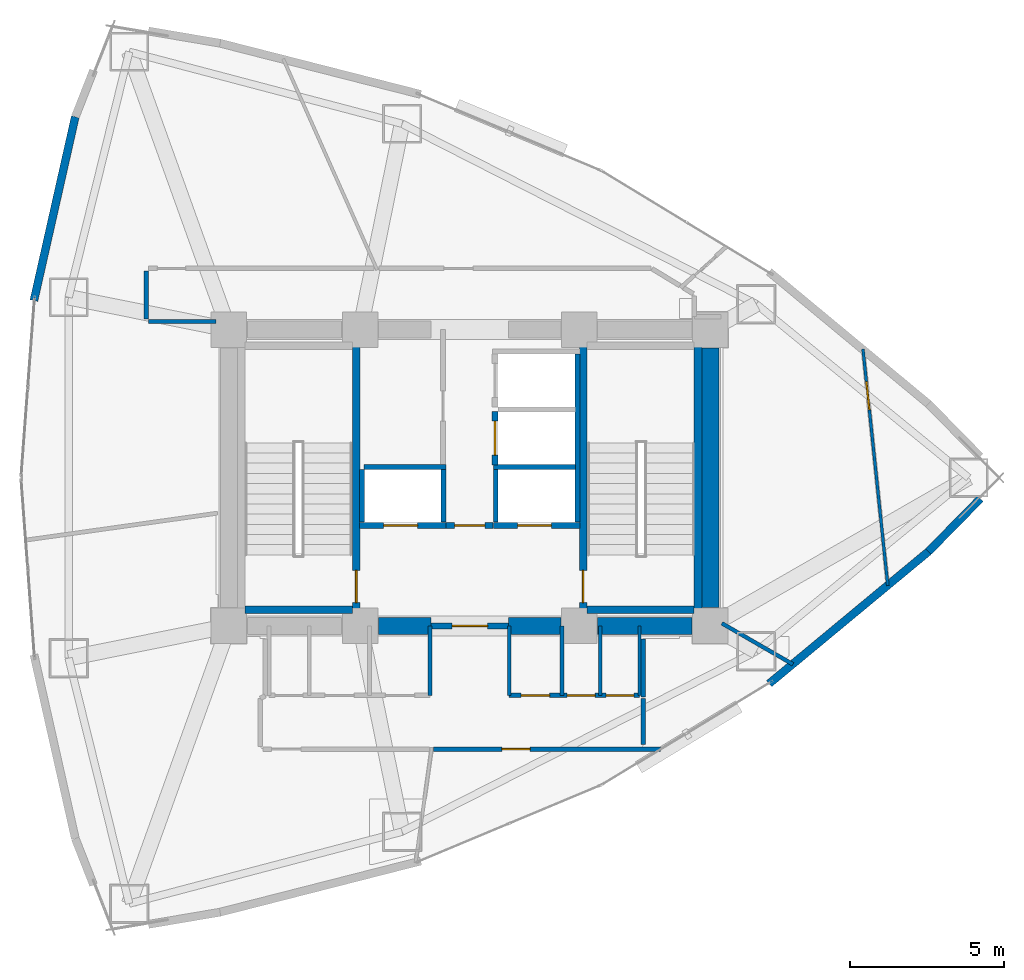
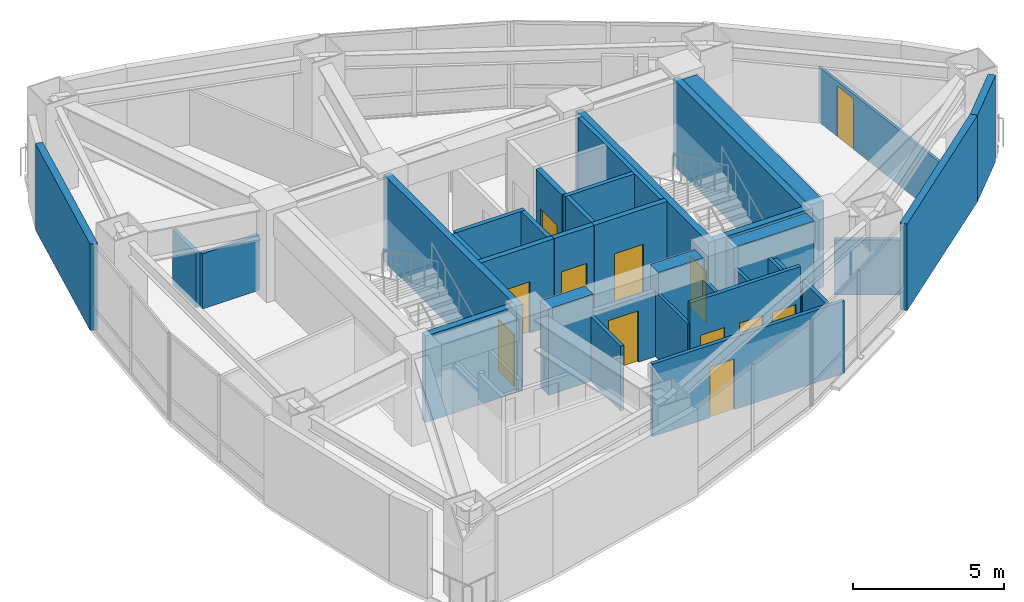
# One storey, part 14 of 17: 36 walls, 12 doors, 12 openings.
"""IFC4 building model written with IfcOpenShell, lengths in metres."""

from ifc_helpers import new_model, si_unit, direction, frame, frame_2d, origin, place, context, subcontext, project, spatial, rectangle, extrude, material, layer, layer_set, type_object, element, fill, save


model = new_model("IFC4")

# Units and contexts
model_context = context("Model", 3, precision=1e-05, world=origin(), true_north=direction((0.0, 1.0)))
body_context = subcontext(model_context, "Body", "Model", "MODEL_VIEW")
ifc_project = project(units=[si_unit("LENGTHUNIT", "METRE"), si_unit("AREAUNIT", "SQUARE_METRE"), si_unit("VOLUMEUNIT", "CUBIC_METRE"), si_unit("PLANEANGLEUNIT", "RADIAN"), si_unit("MASSUNIT", "GRAM", prefix="KILO")], contexts=[model_context])

# Site, building, storey
site_placement = place(None, origin())
site = spatial("IfcSite", under=ifc_project, at=site_placement, CompositionType="ELEMENT")
building_placement = place(site_placement, origin())
building = spatial("IfcBuilding", under=site, at=building_placement, Name="Menara Vayukalpa", CompositionType="ELEMENT")
storey_placement = place(building_placement, frame((0.0, 0.0, 133.739990234375)))
storey = spatial("IfcBuildingStorey", under=building, at=storey_placement, Name="L33", CompositionType="ELEMENT", Elevation=133.739990234375)

# Walls
ifc_material_1 = material(Name="Concrete C60/75", Category="concrete")
ifc_layer_1 = layer(ifc_material_1, 0.550048828125)
ifc_layer_set_1 = layer_set([ifc_layer_1], Name="Concrete C60/75")
wall_type_1 = type_object("IfcWallType", Name="WAL-CW550", PredefinedType="SHEAR", material=ifc_layer_set_1)
wall_1_placement = place(storey_placement, frame((22.64501953125, 17.199951171875, 0.0), z_axis=(0.0, 0.0, 1.0), x_axis=(1.0, 0.0, 0.0)))
element("IfcWall", 1, at=wall_1_placement, inside=storey, type_object=wall_type_1, Name="L33 Buttressed Core Shear Wall CWS2", PredefinedType="SHEAR", context=body_context, shape_type="SweptSolid", body=[
    extrude(rectangle(XDim=1.705078125, YDim=0.550048828125, at=frame_2d((0.8525390625, 0.0))), origin(), (0.0, 0.0, 1.0), 3.5),
])
wall_2_placement = place(storey_placement, frame((26.85009765625, 17.199951171875, 0.0), z_axis=(0.0, 0.0, 1.0), x_axis=(1.0, 0.0, 0.0)))
element("IfcWall", 2, at=wall_2_placement, inside=storey, type_object=wall_type_1, Name="L33 Buttressed Core Shear Wall CWS3", PredefinedType="SHEAR", context=body_context, shape_type="SweptSolid", body=[
    extrude(rectangle(XDim=1.704833984375, YDim=0.550048828125, at=frame_2d((0.8525390625, 0.0))), origin(), (0.0, 0.0, 1.0), 3.5),
])
wall_3_placement = place(storey_placement, frame((29.7451171875, 17.199951171875, 0.0), z_axis=(0.0, 0.0, 1.0), x_axis=(1.0, 0.0, 0.0)))
element("IfcWall", 3, at=wall_3_placement, inside=storey, type_object=wall_type_1, Name="L33 Buttressed Core Shear Wall CWS4", PredefinedType="SHEAR", context=body_context, shape_type="SweptSolid", body=[
    extrude(rectangle(XDim=3.059814453125, YDim=0.550048828125, at=frame_2d((1.52978515625, 0.0))), origin(), (0.0, 0.0, 1.0), 3.5),
])
wall_4_placement = place(storey_placement, frame((33.39990234375, 17.794921875, 0.0), z_axis=(0.0, 0.0, 1.0), x_axis=(0.0, 1.0, 0.0)))
element("IfcWall", 4, at=wall_4_placement, inside=storey, type_object=wall_type_1, Name="L33 Buttressed Core Shear Wall CWE1", PredefinedType="SHEAR", context=body_context, shape_type="SweptSolid", body=[
    extrude(rectangle(XDim=8.41015625, YDim=0.550048828125, at=frame_2d((4.205078125, 0.0))), origin(), (0.0, 0.0, 1.0), 3.5),
])
ifc_material_2 = material(Name="Insulated Precast Concrete C40/50", Category="concrete")
ifc_layer_2 = layer(ifc_material_2, 0.260009765625)
ifc_layer_set_2 = layer_set([ifc_layer_2], Name="Insulated Precast Concrete C40/50")
wall_type_2 = type_object("IfcWallType", Name="WAL-EXT260", PredefinedType="PARTITIONING", material=ifc_layer_set_2)
wall_5_placement = place(storey_placement, frame((42.14111328125, 21.316650390625, 0.0), z_axis=(0.0, 0.0, 1.0), x_axis=(-0.700603293449, -0.713550996922, 0.0)))
element("IfcWall", 5, at=wall_5_placement, inside=storey, type_object=wall_type_2, Name="L33 Perimeter Terracotta Pier Wall 01", PredefinedType="PARTITIONING", context=body_context, shape_type="SweptSolid", body=[
    extrude(rectangle(XDim=2.394775390625, YDim=0.260009765625, at=frame_2d((1.197265625, 0.0))), origin(), (0.0, 0.0, 1.0), 3.5),
])
wall_6_placement = place(storey_placement, frame((11.482421875, 27.73828125, 0.0), z_axis=(0.0, 0.0, 1.0), x_axis=(0.219535044336, 0.975604614743, 0.0)))
element("IfcWall", 6, at=wall_6_placement, inside=storey, type_object=wall_type_2, Name="L33 Perimeter Terracotta Pier Wall 09", PredefinedType="PARTITIONING", context=body_context, shape_type="SweptSolid", body=[
    extrude(rectangle(XDim=6.10205078125, YDim=0.260009765625, at=frame_2d((3.051025390625, 0.0))), origin(), (0.0, 0.0, 1.0), 3.5),
])
wall_7_placement = place(storey_placement, frame((40.472412109375, 19.6162109375, 0.0), z_axis=(0.0, 0.0, 1.0), x_axis=(-0.76975316947, -0.638341646841, 0.0)))
element("IfcWall", 7, at=wall_7_placement, inside=storey, type_object=wall_type_2, Name="L33 Perimeter Terracotta Pier Wall 18", PredefinedType="PARTITIONING", context=body_context, shape_type="SweptSolid", body=[
    extrude(rectangle(XDim=6.718017578125, YDim=0.260009765625, at=frame_2d((3.35888671875, 0.0))), origin(), (0.0, 0.0, 1.0), 3.5),
])
ifc_material_3 = material(Name="Lightweight Concrete Blockwork C16/20", Category="masonry")
ifc_layer_3 = layer(ifc_material_3, 0.159912109375)
ifc_layer_set_3 = layer_set([ifc_layer_3], Name="Lightweight Concrete Blockwork C16/20")
wall_type_3 = type_object("IfcWallType", Name="WAL-FR150", PredefinedType="PARTITIONING", material=ifc_layer_set_3)
for number, where, z_axis, x_axis, name in (
    (8, (22.10498046875, 20.56005859375, 0.0), (0.0, 0.0, 1.0), (0.0, 1.0, 0.0), "L33 Interior Partition IW-L33-SHW-WW"),
    (9, (24.7548828125, 20.56005859375, 0.0), (0.0, 0.0, 1.0), (0.0, 1.0, 0.0), "L33 Interior Partition IW-L33-SHW-W1E"),
):
    element("IfcWall", number, at=place(storey_placement, frame(where, z_axis=z_axis, x_axis=x_axis)), inside=storey, type_object=wall_type_3, Name=name, PredefinedType="PARTITIONING", context=body_context, shape_type="SweptSolid", body=[
        extrude(rectangle(XDim=1.7099609375, YDim=0.159912109375, at=frame_2d((0.85498046875, 0.0))), origin(), (0.0, 0.0, 1.0), 3.5),
    ])
wall_8_placement = place(storey_placement, frame((22.179931640625, 22.344970703125, 0.0), z_axis=(0.0, 0.0, 1.0), x_axis=(1.0, 0.0, 0.0)))
element("IfcWall", 10, at=wall_8_placement, inside=storey, type_object=wall_type_3, Name="L33 Interior Partition IW-L33-SHM-W12", PredefinedType="PARTITIONING", context=body_context, shape_type="SweptSolid", body=[
    extrude(rectangle(XDim=2.650146484375, YDim=0.159912109375, at=frame_2d((1.3251953125, 0.0))), origin(), (0.0, 0.0, 1.0), 3.5),
])
wall_9_placement = place(storey_placement, frame((29.094970703125, 20.56005859375, 0.0), z_axis=(0.0, 0.0, 1.0), x_axis=(0.0, 1.0, 0.0)))
element("IfcWall", 11, at=wall_9_placement, inside=storey, type_object=wall_type_3, Name="L33 Interior Partition IW-L33-SHW-EE", PredefinedType="PARTITIONING", context=body_context, shape_type="SweptSolid", body=[
    extrude(rectangle(XDim=5.449951171875, YDim=0.159912109375, at=frame_2d((2.72509765625, 0.0))), origin(), (0.0, 0.0, 1.0), 3.5),
])
wall_10_placement = place(storey_placement, frame((26.445068359375, 20.56005859375, 0.0), z_axis=(0.0, 0.0, 1.0), x_axis=(0.0, 1.0, 0.0)))
element("IfcWall", 12, at=wall_10_placement, inside=storey, type_object=wall_type_3, Name="L33 Interior Partition IW-L33-SHW-E1W", PredefinedType="PARTITIONING", context=body_context, shape_type="SweptSolid", body=[
    extrude(rectangle(XDim=1.7099609375, YDim=0.159912109375, at=frame_2d((0.85498046875, 0.0))), origin(), (0.0, 0.0, 1.0), 3.5),
])
wall_11_placement = place(storey_placement, frame((26.3701171875, 22.344970703125, 0.0), z_axis=(0.0, 0.0, 1.0), x_axis=(1.0, 0.0, 0.0)))
element("IfcWall", 13, at=wall_11_placement, inside=storey, type_object=wall_type_3, Name="L33 Interior Partition IW-L33-SHM-E13", PredefinedType="PARTITIONING", context=body_context, shape_type="SweptSolid", body=[
    extrude(rectangle(XDim=2.64990234375, YDim=0.159912109375, at=frame_2d((1.324951171875, 0.0))), origin(), (0.0, 0.0, 1.0), 3.5),
])

# Wall, opening, door
ifc_material_4 = material(Name="Lightweight Concrete Blockwork C16/20", Category="masonry")
ifc_layer_4 = layer(ifc_material_4, 0.199951171875)
ifc_layer_set_4 = layer_set([ifc_layer_4], Name="Lightweight Concrete Blockwork C16/20")
wall_type_4 = type_object("IfcWallType", Name="WAL-FR200", PredefinedType="PARTITIONING", material=ifc_layer_set_4)
wall_12_placement = place(storey_placement, frame((24.35009765625, 17.199951171875, 0.0), z_axis=(0.0, 0.0, 1.0), x_axis=(1.0, 0.0, 0.0)))
wall_12 = element("IfcWall", 14, at=wall_12_placement, inside=storey, type_object=wall_type_4, Name="L33 Interior Partition IW-L33-FFLS", PredefinedType="PARTITIONING", context=body_context, shape_type="SweptSolid", body=[
    extrude(rectangle(XDim=2.5, YDim=0.199951171875, at=frame_2d((1.25, 0.0))), origin(), (0.0, 0.0, 1.0), 2.630126953125),
])
opening_1_placement = place(wall_12_placement, frame((0.679931640625, 0.0, 0.0)))
opening_1 = element("IfcOpeningElement", 15, at=opening_1_placement, cuts=wall_12, Name="Opening ID2", PredefinedType="OPENING", context=body_context, shape_type="SweptSolid", body=[
    extrude(rectangle(XDim=1.14990234375, YDim=2.080078125, at=frame_2d((0.574951171875, 1.0400390625))), frame((0.0, 0.10986328125, 0.0), z_axis=(0.0, -1.0, 0.0), x_axis=(1.0, 0.0, 0.0)), (0.0, 0.0, 1.0), 0.219970703125),
])
ifc_material_5 = material(Name="Fire-Rated Powder-Coated Steel Door", Category="steel")
door_type_1 = type_object("IfcDoorType", Name="DR-FD60W", OperationType="NOTDEFINED", PredefinedType="DOOR", material=ifc_material_5)
door_1_placement = place(opening_1_placement, origin())
door_1 = element("IfcDoor", 16, at=door_1_placement, inside=storey, type_object=door_type_1, Name="L33 Interior Door DR-L33-FFLS", OperationType="SINGLE_SWING_RIGHT", OverallHeight=2.080078125, OverallWidth=1.14990234375, PredefinedType="DOOR", context=body_context, shape_type="SweptSolid", body=[
    extrude(rectangle(XDim=1.14990234375, YDim=2.080078125, at=frame_2d((0.574951171875, 1.0400390625))), frame((0.0, 0.02490234375, 0.0), z_axis=(0.0, -1.0, 0.0), x_axis=(1.0, 0.0, 0.0)), (0.0, 0.0, 1.0), 0.050048828125),
])
fill(opening_1, door_1)

wall_13_placement = place(storey_placement, frame((24.840087890625, 20.449951171875, 0.0), z_axis=(0.0, 0.0, 1.0), x_axis=(1.0, 0.0, 0.0)))
wall_13 = element("IfcWall", 17, at=wall_13_placement, inside=storey, type_object=wall_type_4, Name="L33 Interior Partition IW-L33-FFLN", PredefinedType="PARTITIONING", context=body_context, shape_type="SweptSolid", body=[
    extrude(rectangle(XDim=1.52001953125, YDim=0.199951171875, at=frame_2d((0.760009765625, 0.0))), origin(), (0.0, 0.0, 1.0), 3.5),
])
opening_2_placement = place(wall_13_placement, frame((0.27001953125, 0.0, 0.0)))
opening_2 = element("IfcOpeningElement", 18, at=opening_2_placement, cuts=wall_13, Name="Opening ID3", PredefinedType="OPENING", context=body_context, shape_type="SweptSolid", body=[
    extrude(rectangle(XDim=0.97998046875, YDim=2.06005859375, at=frame_2d((0.489990234375, 1.030029296875))), frame((0.0, 0.10986328125, 0.0), z_axis=(0.0, -1.0, 0.0), x_axis=(1.0, 0.0, 0.0)), (0.0, 0.0, 1.0), 0.219970703125),
])
ifc_material_6 = material(Name="Fire-Rated Powder-Coated Steel Door", Category="steel")
door_type_2 = type_object("IfcDoorType", Name="DR-FD60", OperationType="NOTDEFINED", PredefinedType="DOOR", material=ifc_material_6)
door_2_placement = place(opening_2_placement, origin())
door_2 = element("IfcDoor", 19, at=door_2_placement, inside=storey, type_object=door_type_2, Name="L33 Interior Door DR-L33-FFLN", OperationType="SINGLE_SWING_LEFT", OverallHeight=2.06005859375, OverallWidth=0.97998046875, PredefinedType="DOOR", context=body_context, shape_type="SweptSolid", body=[
    extrude(rectangle(XDim=0.97998046875, YDim=2.06005859375, at=frame_2d((0.489990234375, 1.030029296875))), frame((0.0, 0.02490234375, 0.0), z_axis=(0.0, -1.0, 0.0), x_axis=(1.0, 0.0, 0.0)), (0.0, 0.0, 1.0), 0.050048828125),
])
fill(opening_2, door_2)

wall_14_placement = place(storey_placement, frame((22.030029296875, 20.449951171875, 0.0), z_axis=(0.0, 0.0, 1.0), x_axis=(1.0, 0.0, 0.0)))
wall_14 = element("IfcWall", 20, at=wall_14_placement, inside=storey, type_object=wall_type_4, Name="L33 Interior Partition IW-L33-SH-W1", PredefinedType="PARTITIONING", context=body_context, shape_type="SweptSolid", body=[
    extrude(rectangle(XDim=2.800048828125, YDim=0.199951171875, at=frame_2d((1.39990234375, 0.0))), origin(), (0.0, 0.0, 1.0), 3.5),
])
opening_3_placement = place(wall_14_placement, frame((0.780029296875, 0.0, 0.0)))
opening_3 = element("IfcOpeningElement", 21, at=opening_3_placement, cuts=wall_14, Name="Opening LD1", PredefinedType="OPENING", context=body_context, shape_type="SweptSolid", body=[
    extrude(rectangle(XDim=1.10009765625, YDim=2.080078125, at=frame_2d((0.550048828125, 1.0400390625))), frame((0.0, 0.10986328125, 0.0), z_axis=(0.0, -1.0, 0.0), x_axis=(1.0, 0.0, 0.0)), (0.0, 0.0, 1.0), 0.219970703125),
])
ifc_material_7 = material(Name="Brushed Stainless Steel 316 Lift Door", Category="steel")
door_type_3 = type_object("IfcDoorType", Name="DR-LD110", OperationType="NOTDEFINED", PredefinedType="DOOR", material=ifc_material_7)
door_3_placement = place(opening_3_placement, origin())
door_3 = element("IfcDoor", 22, at=door_3_placement, inside=storey, type_object=door_type_3, Name="L33 Interior Door DR-L33-LD-W1", OperationType="DOUBLE_DOOR_SLIDING", OverallHeight=2.080078125, OverallWidth=1.10009765625, PredefinedType="DOOR", context=body_context, shape_type="SweptSolid", body=[
    extrude(rectangle(XDim=1.10009765625, YDim=2.080078125, at=frame_2d((0.550048828125, 1.0400390625))), frame((0.0, 0.02490234375, 0.0), z_axis=(0.0, -1.0, 0.0), x_axis=(1.0, 0.0, 0.0)), (0.0, 0.0, 1.0), 0.050048828125),
])
fill(opening_3, door_3)

wall_15_placement = place(storey_placement, frame((26.3701171875, 20.449951171875, 0.0), z_axis=(0.0, 0.0, 1.0), x_axis=(1.0, 0.0, 0.0)))
wall_15 = element("IfcWall", 23, at=wall_15_placement, inside=storey, type_object=wall_type_4, Name="L33 Interior Partition IW-L33-SH-E1", PredefinedType="PARTITIONING", context=body_context, shape_type="SweptSolid", body=[
    extrude(rectangle(XDim=2.7998046875, YDim=0.199951171875, at=frame_2d((1.39990234375, 0.0))), origin(), (0.0, 0.0, 1.0), 3.5),
])
opening_4_placement = place(wall_15_placement, frame((0.780029296875, 0.0, 0.0)))
opening_4 = element("IfcOpeningElement", 24, at=opening_4_placement, cuts=wall_15, Name="Opening LD1", PredefinedType="OPENING", context=body_context, shape_type="SweptSolid", body=[
    extrude(rectangle(XDim=1.10009765625, YDim=2.080078125, at=frame_2d((0.550048828125, 1.0400390625))), frame((0.0, 0.10986328125, 0.0), z_axis=(0.0, -1.0, 0.0), x_axis=(1.0, 0.0, 0.0)), (0.0, 0.0, 1.0), 0.219970703125),
])
door_4_placement = place(opening_4_placement, origin())
door_4 = element("IfcDoor", 25, at=door_4_placement, inside=storey, type_object=door_type_3, Name="L33 Interior Door DR-L33-LD-E1", OperationType="DOUBLE_DOOR_SLIDING", OverallHeight=2.080078125, OverallWidth=1.10009765625, PredefinedType="DOOR", context=body_context, shape_type="SweptSolid", body=[
    extrude(rectangle(XDim=1.10009765625, YDim=2.080078125, at=frame_2d((0.550048828125, 1.0400390625))), frame((0.0, 0.02490234375, 0.0), z_axis=(0.0, -1.0, 0.0), x_axis=(1.0, 0.0, 0.0)), (0.0, 0.0, 1.0), 0.050048828125),
])
fill(opening_4, door_4)

wall_16_placement = place(storey_placement, frame((26.419921875, 22.419921875, 0.0), z_axis=(0.0, 0.0, 1.0), x_axis=(0.0, 1.0, 0.0)))
wall_16 = element("IfcWall", 26, at=wall_16_placement, inside=storey, type_object=wall_type_4, Name="L33 Interior Partition IW-L33-SH-E3", PredefinedType="PARTITIONING", context=body_context, shape_type="SweptSolid", body=[
    extrude(rectangle(XDim=1.719970703125, YDim=0.199951171875, at=frame_2d((0.85986328125, 0.0))), origin(), (0.0, 0.0, 1.0), 3.5),
])
opening_5_placement = place(wall_16_placement, frame((0.31005859375, 0.0, 0.0)))
opening_5 = element("IfcOpeningElement", 27, at=opening_5_placement, cuts=wall_16, Name="Opening LD1", PredefinedType="OPENING", context=body_context, shape_type="SweptSolid", body=[
    extrude(rectangle(XDim=1.10009765625, YDim=2.080078125, at=frame_2d((0.550048828125, 1.0400390625))), frame((0.0, 0.10986328125, 0.0), z_axis=(0.0, -1.0, 0.0), x_axis=(1.0, 0.0, 0.0)), (0.0, 0.0, 1.0), 0.219970703125),
])
door_5_placement = place(opening_5_placement, origin())
door_5 = element("IfcDoor", 28, at=door_5_placement, inside=storey, type_object=door_type_3, Name="L33 Interior Door DR-L33-LD-E3", OperationType="DOUBLE_DOOR_SLIDING", OverallHeight=2.080078125, OverallWidth=1.10009765625, PredefinedType="DOOR", context=body_context, shape_type="SweptSolid", body=[
    extrude(rectangle(XDim=1.10009765625, YDim=2.080078125, at=frame_2d((0.550048828125, 1.0400390625))), frame((0.0, 0.02490234375, 0.0), z_axis=(0.0, -1.0, 0.0), x_axis=(1.0, 0.0, 0.0)), (0.0, 0.0, 1.0), 0.050048828125),
])
fill(opening_5, door_5)

ifc_material_8 = material(Name="Glazed Demountable Office Partition", Category="glass")
ifc_layer_5 = layer(ifc_material_8, 0.094970703125)
ifc_layer_set_5 = layer_set([ifc_layer_5], Name="Glazed Demountable Office Partition")
wall_type_5 = type_object("IfcWallType", Name="WAL-PT100", PredefinedType="PARTITIONING", material=ifc_layer_set_5)
wall_17_placement = place(storey_placement, frame((39.145751953125, 18.503173828125, 0.0), z_axis=(0.0, 0.0, 1.0), x_axis=(-0.104516517478, 0.994523150849, 0.0)))
wall_17 = element("IfcWall", 29, at=wall_17_placement, inside=storey, type_object=wall_type_5, Name="L33 Interior Partition IW-L33-RDIV06", PredefinedType="PARTITIONING", context=body_context, shape_type="SweptSolid", body=[
    extrude(rectangle(XDim=7.703857421875, YDim=0.094970703125, at=frame_2d((3.85205078125, 0.0))), origin(), (0.0, 0.0, 1.0), 2.22998046875),
])
opening_6_placement = place(wall_17_placement, frame((5.725830078125, 0.0, 0.0)))
opening_6 = element("IfcOpeningElement", 30, at=opening_6_placement, cuts=wall_17, Name="Opening ID6", PredefinedType="OPENING", context=body_context, shape_type="SweptSolid", body=[
    extrude(rectangle(XDim=0.919921875, YDim=2.050048828125, at=frame_2d((0.4599609375, 1.02490234375))), frame((0.0, 0.057373046875, 0.0), z_axis=(0.0, -1.0, 0.0), x_axis=(1.0, 0.0, 0.0)), (0.0, 0.0, 1.0), 0.114990234375),
])
ifc_material_9 = material(Name="Acoustic Hardwood Veneer Timber Door", Category="wood")
door_type_4 = type_object("IfcDoorType", Name="DR-INT92", OperationType="NOTDEFINED", PredefinedType="DOOR", material=ifc_material_9)
door_6_placement = place(opening_6_placement, origin())
door_6 = element("IfcDoor", 31, at=door_6_placement, inside=storey, type_object=door_type_4, Name="L33 Interior Door DR-L33-STE03", OperationType="SINGLE_SWING_RIGHT", OverallHeight=2.050048828125, OverallWidth=0.919921875, PredefinedType="DOOR", context=body_context, shape_type="SweptSolid", body=[
    extrude(rectangle(XDim=0.919921875, YDim=2.050048828125, at=frame_2d((0.4599609375, 1.02490234375))), frame((0.0, 0.02490234375, 0.0), z_axis=(0.0, -1.0, 0.0), x_axis=(1.0, 0.0, 0.0)), (0.0, 0.0, 1.0), 0.050048828125),
])
fill(opening_6, door_6)

# Walls
ifc_material_10 = material(Name="Acoustic Mineral Stud Partition", Category="masonry")
ifc_layer_6 = layer(ifc_material_10, 0.110107421875)
ifc_layer_set_6 = layer_set([ifc_layer_6], Name="Acoustic Mineral Stud Partition")
wall_type_6 = type_object("IfcWallType", Name="WAL-PT110", PredefinedType="PARTITIONING", material=ifc_layer_set_6)
for number, where, z_axis, x_axis, name in (
    (32, (26.8798828125, 14.949951171875, 0.0), (0.0, 0.0, 1.0), (0.0, 1.0, 0.0), "L33 Interior Partition IW-L33-SVCD-05"),
    (33, (31.10009765625, 14.949951171875, 0.0), (0.0, 0.0, 1.0), (0.0, 1.0, 0.0), "L33 Interior Partition IW-L33-SVCD-08"),
):
    element("IfcWall", number, at=place(storey_placement, frame(where, z_axis=z_axis, x_axis=x_axis)), inside=storey, type_object=wall_type_6, Name=name, PredefinedType="PARTITIONING", context=body_context, shape_type="SweptSolid", body=[
        extrude(rectangle(XDim=2.25, YDim=0.110107421875, at=frame_2d((1.125, 0.0))), origin(), (0.0, 0.0, 1.0), 2.630126953125),
    ])
ifc_material_11 = material(Name="Gypsum Drywall Steel Stud Assembly", Category="steel")
ifc_layer_7 = layer(ifc_material_11, 0.125)
ifc_layer_set_7 = layer_set([ifc_layer_7], Name="Gypsum Drywall Steel Stud Assembly")
wall_type_7 = type_object("IfcWallType", Name="WAL-PT125", PredefinedType="PARTITIONING", material=ifc_layer_set_7)
for number, where, z_axis, x_axis, name in (
    (34, (24.320068359375, 14.949951171875, 0.0), (0.0, 0.0, 1.0), (0.0, 1.0, 0.0), "L33 Interior Partition IW-L33-SVCD-04"),
    (35, (28.590087890625, 14.949951171875, 0.0), (0.0, 0.0, 1.0), (0.0, 1.0, 0.0), "L33 Interior Partition IW-L33-SVCD-06"),
    (36, (29.830078125, 14.949951171875, 0.0), (0.0, 0.0, 1.0), (0.0, 1.0, 0.0), "L33 Interior Partition IW-L33-SVCD-07"),
):
    element("IfcWall", number, at=place(storey_placement, frame(where, z_axis=z_axis, x_axis=x_axis)), inside=storey, type_object=wall_type_7, Name=name, PredefinedType="PARTITIONING", context=body_context, shape_type="SweptSolid", body=[
        extrude(rectangle(XDim=2.25, YDim=0.125, at=frame_2d((1.125, 0.0))), origin(), (0.0, 0.0, 1.0), 2.630126953125),
    ])
wall_18_placement = place(storey_placement, frame((33.77001953125, 17.282958984375, 0.0), z_axis=(0.0, 0.0, 1.0), x_axis=(0.866058639234, -0.499942430094, 0.0)))
element("IfcWall", 37, at=wall_18_placement, inside=storey, type_object=wall_type_7, Name="L33 Interior Partition IW-L33-RDIV05", PredefinedType="PARTITIONING", context=body_context, shape_type="SweptSolid", body=[
    extrude(rectangle(XDim=2.657958984375, YDim=0.125, at=frame_2d((1.3291015625, 0.0))), origin(), (0.0, 0.0, 1.0), 2.22998046875),
])

# Wall, openings, doors
ifc_material_12 = material(Name="Gypsum Drywall Acoustic Stud Assembly", Category="masonry")
ifc_layer_8 = layer(ifc_material_12, 0.14501953125)
ifc_layer_set_8 = layer_set([ifc_layer_8], Name="Gypsum Drywall Acoustic Stud Assembly")
wall_type_8 = type_object("IfcWallType", Name="WAL-PT150", PredefinedType="PARTITIONING", material=ifc_layer_set_8)
wall_19_placement = place(storey_placement, frame((26.8798828125, 14.949951171875, 0.0), z_axis=(0.0, 0.0, 1.0), x_axis=(1.0, 0.0, 0.0)))
wall_19 = element("IfcWall", 38, at=wall_19_placement, inside=storey, type_object=wall_type_8, Name="L33 Interior Partition IW-L33-SVCS-E", PredefinedType="PARTITIONING", context=body_context, shape_type="SweptSolid", body=[
    extrude(rectangle(XDim=4.22021484375, YDim=0.14501953125, at=frame_2d((2.110107421875, 0.0))), origin(), (0.0, 0.0, 1.0), 3.5),
])
opening_7_placement = place(wall_19_placement, frame((0.389892578125, 0.0, 0.0)))
opening_7 = element("IfcOpeningElement", 39, at=opening_7_placement, cuts=wall_19, Name="Opening ID6", PredefinedType="OPENING", context=body_context, shape_type="SweptSolid", body=[
    extrude(rectangle(XDim=0.919921875, YDim=2.050048828125, at=frame_2d((0.4599609375, 1.02490234375))), frame((0.0, 0.08251953125, 0.0), z_axis=(0.0, -1.0, 0.0), x_axis=(1.0, 0.0, 0.0)), (0.0, 0.0, 1.0), 0.1650390625),
])
opening_8_placement = place(wall_19_placement, frame((1.8798828125, 0.0, 0.0)))
opening_8 = element("IfcOpeningElement", 40, at=opening_8_placement, cuts=wall_19, Name="Opening ID7", PredefinedType="OPENING", context=body_context, shape_type="SweptSolid", body=[
    extrude(rectangle(XDim=0.89990234375, YDim=2.02001953125, at=frame_2d((0.449951171875, 1.010009765625))), frame((0.0, 0.08251953125, 0.0), z_axis=(0.0, -1.0, 0.0), x_axis=(1.0, 0.0, 0.0)), (0.0, 0.0, 1.0), 0.1650390625),
])
opening_9_placement = place(wall_19_placement, frame((3.139892578125, 0.0, 0.0)))
opening_9 = element("IfcOpeningElement", 41, at=opening_9_placement, cuts=wall_19, Name="Opening ID7", PredefinedType="OPENING", context=body_context, shape_type="SweptSolid", body=[
    extrude(rectangle(XDim=0.89990234375, YDim=2.02001953125, at=frame_2d((0.449951171875, 1.010009765625))), frame((0.0, 0.08251953125, 0.0), z_axis=(0.0, -1.0, 0.0), x_axis=(1.0, 0.0, 0.0)), (0.0, 0.0, 1.0), 0.1650390625),
])
door_7_placement = place(opening_7_placement, origin())
door_7 = element("IfcDoor", 42, at=door_7_placement, inside=storey, type_object=door_type_4, Name="L33 Interior Door DR-L33-KSV1", OperationType="SINGLE_SWING_RIGHT", OverallHeight=2.050048828125, OverallWidth=0.919921875, PredefinedType="DOOR", context=body_context, shape_type="SweptSolid", body=[
    extrude(rectangle(XDim=0.919921875, YDim=2.050048828125, at=frame_2d((0.4599609375, 1.02490234375))), frame((0.0, 0.02490234375, 0.0), z_axis=(0.0, -1.0, 0.0), x_axis=(1.0, 0.0, 0.0)), (0.0, 0.0, 1.0), 0.050048828125),
])
fill(opening_7, door_7)
ifc_material_13 = material(Name="Powder-Coated Steel Riser Access Door", Category="steel")
door_type_5 = type_object("IfcDoorType", Name="DR-RISER", OperationType="NOTDEFINED", PredefinedType="DOOR", material=ifc_material_13)
door_8_placement = place(opening_8_placement, origin())
door_8 = element("IfcDoor", 43, at=door_8_placement, inside=storey, type_object=door_type_5, Name="L33 Interior Door DR-L33-KSV2", OperationType="SINGLE_SWING_LEFT", OverallHeight=2.02001953125, OverallWidth=0.89990234375, PredefinedType="DOOR", context=body_context, shape_type="SweptSolid", body=[
    extrude(rectangle(XDim=0.89990234375, YDim=2.02001953125, at=frame_2d((0.449951171875, 1.010009765625))), frame((0.0, 0.02490234375, 0.0), z_axis=(0.0, -1.0, 0.0), x_axis=(1.0, 0.0, 0.0)), (0.0, 0.0, 1.0), 0.050048828125),
])
fill(opening_8, door_8)
door_9_placement = place(opening_9_placement, origin())
door_9 = element("IfcDoor", 44, at=door_9_placement, inside=storey, type_object=door_type_5, Name="L33 Interior Door DR-L33-SMD", OperationType="SINGLE_SWING_RIGHT", OverallHeight=2.02001953125, OverallWidth=0.89990234375, PredefinedType="DOOR", context=body_context, shape_type="SweptSolid", body=[
    extrude(rectangle(XDim=0.89990234375, YDim=2.02001953125, at=frame_2d((0.449951171875, 1.010009765625))), frame((0.0, 0.02490234375, 0.0), z_axis=(0.0, -1.0, 0.0), x_axis=(1.0, 0.0, 0.0)), (0.0, 0.0, 1.0), 0.050048828125),
])
fill(opening_9, door_9)

# Wall, opening, door
wall_20_placement = place(storey_placement, frame((24.435302734375, 13.2099609375, 0.0), z_axis=(0.0, 0.0, 1.0), x_axis=(1.0, 0.0, 0.0)))
wall_20 = element("IfcWall", 45, at=wall_20_placement, inside=storey, type_object=wall_type_8, Name="L33 Interior Partition IW-L33-CRM02-1", PredefinedType="PARTITIONING", context=body_context, shape_type="SweptSolid", body=[
    extrude(rectangle(XDim=7.3486328125, YDim=0.14501953125, at=frame_2d((3.67431640625, 0.0))), origin(), (0.0, 0.0, 1.0), 2.929931640625),
])
opening_10_placement = place(wall_20_placement, frame((2.205078125, 0.0, 0.0)))
opening_10 = element("IfcOpeningElement", 46, at=opening_10_placement, cuts=wall_20, Name="Opening ID6", PredefinedType="OPENING", context=body_context, shape_type="SweptSolid", body=[
    extrude(rectangle(XDim=0.919921875, YDim=2.050048828125, at=frame_2d((0.4599609375, 1.02490234375))), frame((0.0, 0.08251953125, 0.0), z_axis=(0.0, -1.0, 0.0), x_axis=(1.0, 0.0, 0.0)), (0.0, 0.0, 1.0), 0.1650390625),
])
door_10_placement = place(opening_10_placement, origin())
door_10 = element("IfcDoor", 47, at=door_10_placement, inside=storey, type_object=door_type_4, Name="L33 Interior Door DR-L33-RM02", OperationType="SINGLE_SWING_RIGHT", OverallHeight=2.050048828125, OverallWidth=0.919921875, PredefinedType="DOOR", context=body_context, shape_type="SweptSolid", body=[
    extrude(rectangle(XDim=0.919921875, YDim=2.050048828125, at=frame_2d((0.4599609375, 1.02490234375))), frame((0.0, 0.02490234375, 0.0), z_axis=(0.0, -1.0, 0.0), x_axis=(1.0, 0.0, 0.0)), (0.0, 0.0, 1.0), 0.050048828125),
])
fill(opening_10, door_10)

# Walls
wall_21_placement = place(storey_placement, frame((31.22998046875, 13.351318359375, 0.0), z_axis=(0.0, 0.0, 1.0), x_axis=(0.0, 1.0, 0.0)))
element("IfcWall", 48, at=wall_21_placement, inside=storey, type_object=wall_type_8, Name="L33 Interior Partition IW-L33-CRM02-2", PredefinedType="PARTITIONING", context=body_context, shape_type="SweptSolid", body=[
    extrude(rectangle(XDim=1.498779296875, YDim=0.14501953125, at=frame_2d((0.74951171875, 0.0))), origin(), (0.0, 0.0, 1.0), 2.929931640625),
])
wall_22_placement = place(storey_placement, frame((31.219970703125, 14.888671875, 0.0), z_axis=(0.0, 0.0, 1.0), x_axis=(0.0, 1.0, 0.0)))
element("IfcWall", 49, at=wall_22_placement, inside=storey, type_object=wall_type_8, Name="L33 Interior Partition IW-L33-CRM02-3", PredefinedType="PARTITIONING", context=body_context, shape_type="SweptSolid", body=[
    extrude(rectangle(XDim=1.891357421875, YDim=0.14501953125, at=frame_2d((0.94580078125, 0.0))), origin(), (0.0, 0.0, 1.0), 2.630126953125),
])
wall_23_placement = place(storey_placement, frame((15.1201171875, 28.699951171875, 0.0), z_axis=(0.0, 0.0, 1.0), x_axis=(0.0, -1.0, 0.0)))
element("IfcWall", 50, at=wall_23_placement, inside=storey, type_object=wall_type_8, Name="L33 Interior Partition IW-L33-CRM06-2", PredefinedType="PARTITIONING", context=body_context, shape_type="SweptSolid", body=[
    extrude(rectangle(XDim=1.56005859375, YDim=0.14501953125, at=frame_2d((0.780029296875, 0.0))), origin(), (0.0, 0.0, 1.0), 2.22998046875),
])
wall_24_placement = place(storey_placement, frame((15.199951171875, 27.06005859375, 0.0), z_axis=(0.0, 0.0, 1.0), x_axis=(1.0, 0.0, 0.0)))
element("IfcWall", 51, at=wall_24_placement, inside=storey, type_object=wall_type_8, Name="L33 Interior Partition IW-L33-CRM06-3", PredefinedType="PARTITIONING", context=body_context, shape_type="SweptSolid", body=[
    extrude(rectangle(XDim=2.179931640625, YDim=0.14501953125, at=frame_2d((1.08984375, 0.0))), origin(), (0.0, 0.0, 1.0), 2.22998046875),
])

# Wall, opening, door
ifc_material_14 = material(Name="Concrete C50/60", Category="concrete")
ifc_layer_9 = layer(ifc_material_14, 0.25)
ifc_layer_set_9 = layer_set([ifc_layer_9], Name="Concrete C50/60")
wall_type_9 = type_object("IfcWallType", Name="WAL-SW250", PredefinedType="SHEAR", material=ifc_layer_set_9)
wall_25_placement = place(storey_placement, frame((21.925048828125, 17.60009765625, 0.0), z_axis=(0.0, 0.0, 1.0), x_axis=(0.0, 1.0, 0.0)))
wall_25 = element("IfcWall", 52, at=wall_25_placement, inside=storey, type_object=wall_type_9, Name="L33 ST1 Structural Stair Shaft Wall E", PredefinedType="SHEAR", context=body_context, shape_type="SweptSolid", body=[
    extrude(rectangle(XDim=8.7998046875, YDim=0.25, at=frame_2d((4.39990234375, 0.0))), origin(), (0.0, 0.0, 1.0), 3.5),
])
opening_11_placement = place(wall_25_placement, frame((0.35009765625, 0.0, 0.0)))
opening_11 = element("IfcOpeningElement", 53, at=opening_11_placement, cuts=wall_25, Name="Opening ID1", PredefinedType="OPENING", context=body_context, shape_type="SweptSolid", body=[
    extrude(rectangle(XDim=1.050048828125, YDim=2.080078125, at=frame_2d((0.52490234375, 1.0400390625))), frame((0.0, 0.135009765625, 0.0), z_axis=(0.0, -1.0, 0.0), x_axis=(1.0, 0.0, 0.0)), (0.0, 0.0, 1.0), 0.27001953125),
])
ifc_material_15 = material(Name="Fire-Rated Powder-Coated Steel Door", Category="steel")
door_type_6 = type_object("IfcDoorType", Name="DR-FD120", OperationType="NOTDEFINED", PredefinedType="DOOR", material=ifc_material_15)
door_11_placement = place(opening_11_placement, origin())
door_11 = element("IfcDoor", 54, at=door_11_placement, inside=storey, type_object=door_type_6, Name="L33 Stair Exit Door DR-L33-ST1", OperationType="SINGLE_SWING_LEFT", OverallHeight=2.080078125, OverallWidth=1.050048828125, PredefinedType="DOOR", context=body_context, shape_type="SweptSolid", body=[
    extrude(rectangle(XDim=1.050048828125, YDim=2.080078125, at=frame_2d((0.52490234375, 1.0400390625))), frame((0.0, 0.02490234375, 0.0), z_axis=(0.0, -1.0, 0.0), x_axis=(1.0, 0.0, 0.0)), (0.0, 0.0, 1.0), 0.050048828125),
])
fill(opening_11, door_11)

# Wall
wall_26_placement = place(storey_placement, frame((18.3291015625, 17.72509765625, 0.0), z_axis=(0.0, 0.0, 1.0), x_axis=(1.0, 0.0, 0.0)))
element("IfcWall", 55, at=wall_26_placement, inside=storey, type_object=wall_type_9, Name="L33 ST1 Structural Stair Shaft Wall S", PredefinedType="SHEAR", context=body_context, shape_type="SweptSolid", body=[
    extrude(rectangle(XDim=3.470947265625, YDim=0.25, at=frame_2d((1.7353515625, 0.0))), origin(), (0.0, 0.0, 1.0), 3.5),
])

# Wall, opening, door
wall_27_placement = place(storey_placement, frame((29.27490234375, 17.60009765625, 0.0), z_axis=(0.0, 0.0, 1.0), x_axis=(0.0, 1.0, 0.0)))
wall_27 = element("IfcWall", 56, at=wall_27_placement, inside=storey, type_object=wall_type_9, Name="L33 ST2 Structural Stair Shaft Wall W", PredefinedType="SHEAR", context=body_context, shape_type="SweptSolid", body=[
    extrude(rectangle(XDim=8.7998046875, YDim=0.25, at=frame_2d((4.39990234375, 0.0))), origin(), (0.0, 0.0, 1.0), 3.5),
])
opening_12_placement = place(wall_27_placement, frame((0.35009765625, 0.0, 0.0)))
opening_12 = element("IfcOpeningElement", 57, at=opening_12_placement, cuts=wall_27, Name="Opening ID1", PredefinedType="OPENING", context=body_context, shape_type="SweptSolid", body=[
    extrude(rectangle(XDim=1.050048828125, YDim=2.080078125, at=frame_2d((0.52490234375, 1.0400390625))), frame((0.0, 0.135009765625, 0.0), z_axis=(0.0, -1.0, 0.0), x_axis=(1.0, 0.0, 0.0)), (0.0, 0.0, 1.0), 0.27001953125),
])
door_12_placement = place(opening_12_placement, origin())
door_12 = element("IfcDoor", 58, at=door_12_placement, inside=storey, type_object=door_type_6, Name="L33 Stair Exit Door DR-L33-ST2", OperationType="SINGLE_SWING_RIGHT", OverallHeight=2.080078125, OverallWidth=1.050048828125, PredefinedType="DOOR", context=body_context, shape_type="SweptSolid", body=[
    extrude(rectangle(XDim=1.050048828125, YDim=2.080078125, at=frame_2d((0.52490234375, 1.0400390625))), frame((0.0, 0.02490234375, 0.0), z_axis=(0.0, -1.0, 0.0), x_axis=(1.0, 0.0, 0.0)), (0.0, 0.0, 1.0), 0.050048828125),
])
fill(opening_12, door_12)

# Walls
wall_28_placement = place(storey_placement, frame((32.99609375, 17.60009765625, 0.0), z_axis=(0.0, 0.0, 1.0), x_axis=(0.0, 1.0, 0.0)))
element("IfcWall", 59, at=wall_28_placement, inside=storey, type_object=wall_type_9, Name="L33 ST2 Structural Stair Shaft Wall E", PredefinedType="SHEAR", context=body_context, shape_type="SweptSolid", body=[
    extrude(rectangle(XDim=8.7998046875, YDim=0.25, at=frame_2d((4.39990234375, 0.0))), origin(), (0.0, 0.0, 1.0), 3.5),
])
wall_29_placement = place(storey_placement, frame((29.39990234375, 17.72509765625, 0.0), z_axis=(0.0, 0.0, 1.0), x_axis=(1.0, 0.0, 0.0)))
element("IfcWall", 60, at=wall_29_placement, inside=storey, type_object=wall_type_9, Name="L33 ST2 Structural Stair Shaft Wall S", PredefinedType="SHEAR", context=body_context, shape_type="SweptSolid", body=[
    extrude(rectangle(XDim=3.47119140625, YDim=0.25, at=frame_2d((1.735595703125, 0.0))), origin(), (0.0, 0.0, 1.0), 3.5),
])

save(model, "model.ifc")
